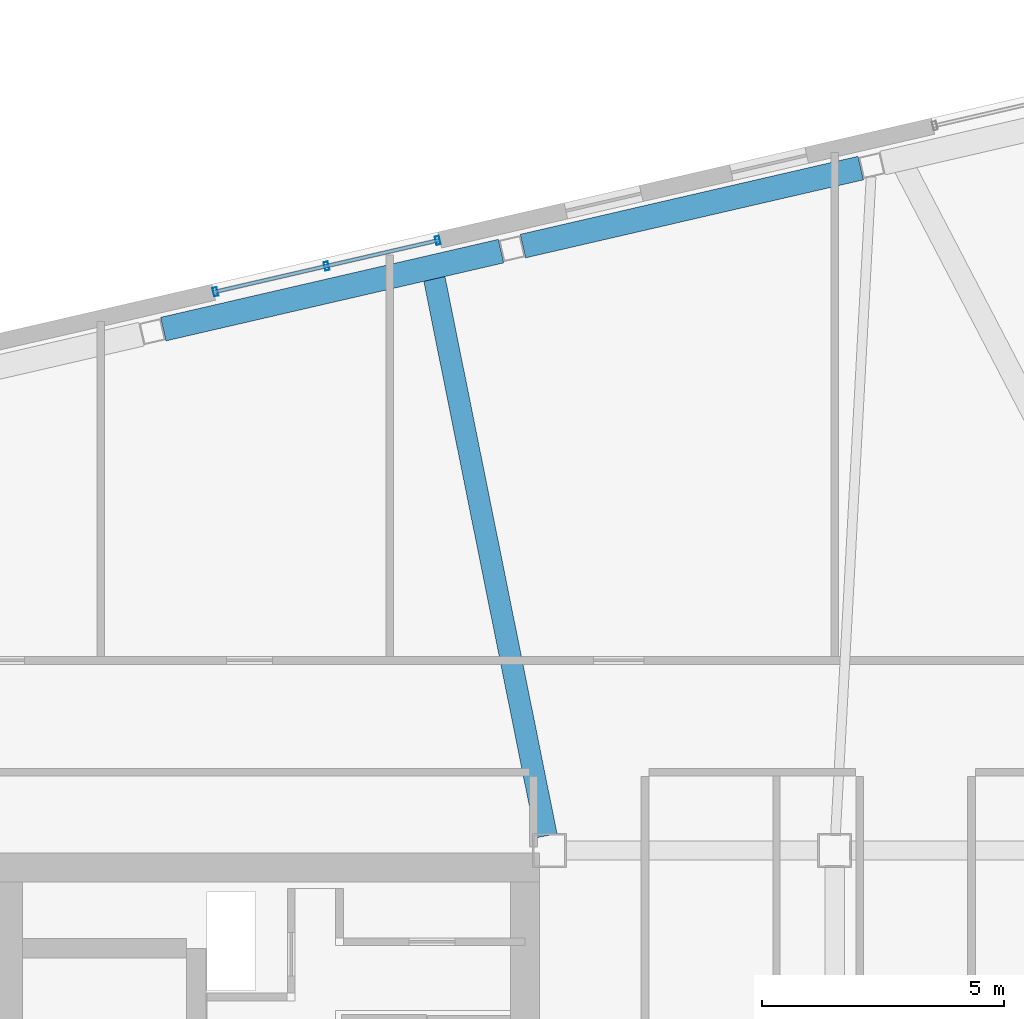
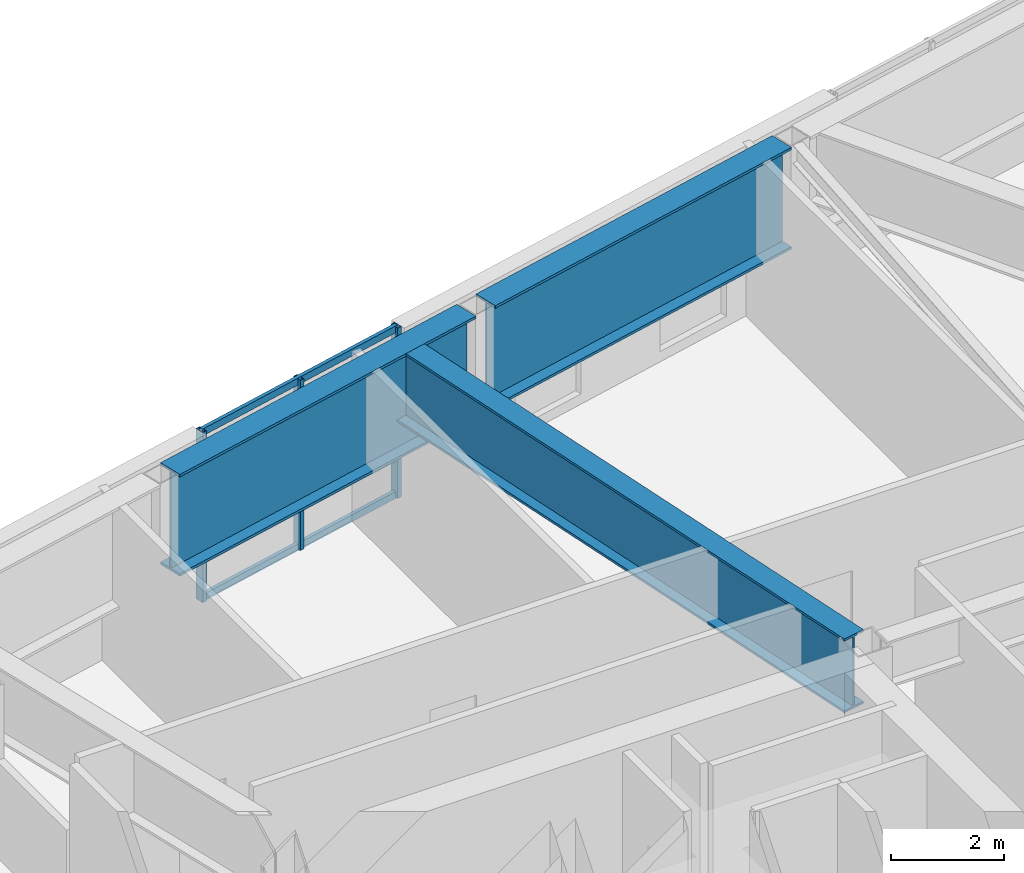
# One storey, part 12 of 23: 6 members, 3 beams, 1 element without a shape of its own.
"""IFC4 building model written with IfcOpenShell, lengths in metres."""

from ifc_helpers import new_model, si_unit, direction, frame, origin, origin_2d, place, context, subcontext, project, spatial, hollow_rectangle, i_section, extrude, material, layer, layer_set, material_profile, profile_set, type_object, element, aggregate, save


model = new_model("IFC4")

# Units and contexts
model_context = context("Model", 3, precision=1e-05, world=origin(), true_north=direction((0.0, 1.0)))
body_context = subcontext(model_context, "Body", "Model", "MODEL_VIEW")
ifc_project = project(units=[si_unit("LENGTHUNIT", "METRE"), si_unit("AREAUNIT", "SQUARE_METRE"), si_unit("VOLUMEUNIT", "CUBIC_METRE"), si_unit("PLANEANGLEUNIT", "RADIAN"), si_unit("MASSUNIT", "GRAM", prefix="KILO")], contexts=[model_context])

# Site, building, storey
site_placement = place(None, origin())
site = spatial("IfcSite", under=ifc_project, at=site_placement, CompositionType="ELEMENT")
building_placement = place(site_placement, origin())
building = spatial("IfcBuilding", under=site, at=building_placement, Name="Tavrogorsk Clinical Tower", CompositionType="ELEMENT")
storey_placement = place(building_placement, frame((0.0, 0.0, 329.0)))
storey = spatial("IfcBuildingStorey", under=building, at=storey_placement, Name="L77", CompositionType="ELEMENT", Elevation=329.0)

# Curtain wall, members
ifc_material_1 = material(Name="Anodised aluminium and triple IGU glazing", Category="aluminium")
ifc_layer = layer(ifc_material_1, 0.179931640625)
ifc_layer_set = layer_set([ifc_layer], Name="Anodised aluminium and triple IGU glazing")
curtain_wall_type = type_object("IfcCurtainWallType", Name="CW2_NorthSlot", PredefinedType="NOTDEFINED", material=ifc_layer_set)
curtain_wall_placement = place(storey_placement, origin())
curtain_wall = element("IfcCurtainWall", 1, at=curtain_wall_placement, inside=storey, type_object=curtain_wall_type, Name="L77 Curtain Wall CW-L77-N-SLOT-1", PredefinedType="NOTDEFINED")
ifc_material_2 = material(Name="Anodised aluminium alloy AW-6060", Category="aluminium")
ifc_material_profile_1 = material_profile(ifc_material_2, hollow_rectangle(XDim=0.090087890625, YDim=0.179931640625, WallThickness=0.00634765625, at=origin_2d()), Name="RHS-180x90x6.3")
ifc_profile_set_1 = profile_set([ifc_material_profile_1], Name="Anodised aluminium alloy AW-6060")
member_type_1 = type_object("IfcMemberType", Name="CwMullion_180x90", PredefinedType="MULLION", material=ifc_profile_set_1)
member_1_placement = place(storey_placement, frame((-12.608154296875, 18.9658203125, 0.0), z_axis=(0.0, 0.0, 1.0), x_axis=(-0.974370057377, -0.224951086434, 0.0)))
member_1 = element("IfcMember", 2, at=member_1_placement, type_object=member_type_1, Name="CW-L77-N-SLOT-1 Mullion 1", PredefinedType="MULLION", context=body_context, shape_type="SweptSolid", body=[
    extrude(hollow_rectangle(XDim=0.090087890625, YDim=0.179931640625, WallThickness=0.00634765625, at=origin_2d()), origin(), (0.0, 0.0, 1.0), 3.679931640625),
])
member_2_placement = place(storey_placement, frame((-14.90673828125, 18.435302734375, 0.0), z_axis=(0.0, 0.0, 1.0), x_axis=(-0.974370057377, -0.224951086434, 0.0)))
member_2 = element("IfcMember", 3, at=member_2_placement, type_object=member_type_1, Name="CW-L77-N-SLOT-1 Mullion 2", PredefinedType="MULLION", context=body_context, shape_type="SweptSolid", body=[
    extrude(hollow_rectangle(XDim=0.090087890625, YDim=0.179931640625, WallThickness=0.00634765625, at=origin_2d()), origin(), (0.0, 0.0, 1.0), 3.679931640625),
])
member_3_placement = place(storey_placement, frame((-17.205322265625, 17.904541015625, 0.0), z_axis=(0.0, 0.0, 1.0), x_axis=(-0.974370057377, -0.224951086434, 0.0)))
member_3 = element("IfcMember", 4, at=member_3_placement, type_object=member_type_1, Name="CW-L77-N-SLOT-1 Mullion 3", PredefinedType="MULLION", context=body_context, shape_type="SweptSolid", body=[
    extrude(hollow_rectangle(XDim=0.090087890625, YDim=0.179931640625, WallThickness=0.00634765625, at=origin_2d()), origin(), (0.0, 0.0, 1.0), 3.679931640625),
])
ifc_material_3 = material(Name="Anodised aluminium alloy AW-6060", Category="aluminium")
ifc_material_profile_2 = material_profile(ifc_material_3, hollow_rectangle(XDim=0.074951171875, YDim=0.14990234375, WallThickness=0.0048828125, at=origin_2d()), Name="RHS-150x75x5")
ifc_profile_set_2 = profile_set([ifc_material_profile_2], Name="Anodised aluminium alloy AW-6060")
member_type_2 = type_object("IfcMemberType", Name="CwTransom_150x75", PredefinedType="USERDEFINED", material=ifc_profile_set_2)
member_4_placement = place(storey_placement, frame((-12.608154296875, 18.9658203125, 0.050048828125), z_axis=(-0.974372877948, -0.22493886885, 0.0), x_axis=(0.22493886885, -0.974372877948, 0.0)))
member_4 = element("IfcMember", 5, at=member_4_placement, type_object=member_type_2, Name="CW-L77-N-SLOT-1 Transom 1", ObjectType="TRANSOM", PredefinedType="USERDEFINED", context=body_context, shape_type="SweptSolid", body=[
    extrude(hollow_rectangle(XDim=0.074951171875, YDim=0.14990234375, WallThickness=0.0048828125, at=origin_2d()), origin(), (0.0, 0.0, 1.0), 4.718017578125),
])
member_5_placement = place(storey_placement, frame((-12.608154296875, 18.9658203125, 0.85009765625), z_axis=(-0.974372877948, -0.22493886885, 0.0), x_axis=(0.22493886885, -0.974372877948, 0.0)))
member_5 = element("IfcMember", 6, at=member_5_placement, type_object=member_type_2, Name="CW-L77-N-SLOT-1 Transom 2", ObjectType="TRANSOM", PredefinedType="USERDEFINED", context=body_context, shape_type="SweptSolid", body=[
    extrude(hollow_rectangle(XDim=0.074951171875, YDim=0.14990234375, WallThickness=0.0048828125, at=origin_2d()), origin(), (0.0, 0.0, 1.0), 4.718017578125),
])
member_6_placement = place(storey_placement, frame((-12.608154296875, 18.9658203125, 3.6298828125), z_axis=(-0.974372877948, -0.22493886885, 0.0), x_axis=(0.22493886885, -0.974372877948, 0.0)))
member_6 = element("IfcMember", 7, at=member_6_placement, type_object=member_type_2, Name="CW-L77-N-SLOT-1 Transom 3", ObjectType="TRANSOM", PredefinedType="USERDEFINED", context=body_context, shape_type="SweptSolid", body=[
    extrude(hollow_rectangle(XDim=0.074951171875, YDim=0.14990234375, WallThickness=0.0048828125, at=origin_2d()), origin(), (0.0, 0.0, 1.0), 4.718017578125),
])
aggregate(curtain_wall, [member_1, member_2, member_3, member_4, member_5, member_6])

# Beams
ifc_material_4 = material(Name="Structural steel S440", Category="steel")
ifc_material_profile_3 = material_profile(ifc_material_4, i_section(OverallWidth=0.449951171875, OverallDepth=1.60009765625, WebThickness=0.031982421875, FlangeThickness=0.050048828125, at=origin_2d()), Name="DK-1600x450x32x50")
ifc_profile_set_3 = profile_set([ifc_material_profile_3], Name="Structural steel S440")
beam_type_1 = type_object("IfcBeamType", Name="TransferGirder_DK1600", PredefinedType="USERDEFINED", material=ifc_profile_set_3)
beam_placement = place(storey_placement, frame((-10.361083984375, 6.65380859375, 2.8798828125), z_axis=(-0.19723527483, 0.980356183416, 0.0), x_axis=(-0.980356183416, -0.19723527483, 0.0)))
element("IfcBeam", 8, at=beam_placement, inside=storey, type_object=beam_type_1, Name="L78 Crown Base Transfer Girder 08", ObjectType="GIRDER", PredefinedType="USERDEFINED", context=body_context, shape_type="SweptSolid", body=[
    extrude(i_section(OverallWidth=0.449951171875, OverallDepth=1.60009765625, WebThickness=0.031982421875, FlangeThickness=0.050048828125, at=origin_2d()), origin(), (0.0, 0.0, 1.0), 11.996826171875),
])
ifc_material_5 = material(Name="Structural steel S440", Category="steel")
ifc_material_profile_4 = material_profile(ifc_material_5, i_section(OverallWidth=0.5, OverallDepth=2.199951171875, WebThickness=0.035888671875, FlangeThickness=0.054931640625, at=origin_2d()), Name="DK-2200x500x36x55")
ifc_profile_set_4 = profile_set([ifc_material_profile_4], Name="Structural steel S440")
beam_type_2 = type_object("IfcBeamType", Name="TransferGirder_DK2200", PredefinedType="USERDEFINED", material=ifc_profile_set_4)
for number, where, z_axis, x_axis, name in (
    (9, (-3.861328125, 20.4619140625, 2.580078125), (-0.974367655018, -0.224961491939, 0.0), (0.224961491939, -0.974367655018, 0.0), "L77 Perimeter Spandrel N4-N5"),
    (10, (-11.2998046875, 18.74462890625, 2.580078125), (-0.974367655018, -0.224961491939, 0.0), (0.224961491939, -0.974367655018, 0.0), "L77 Perimeter Spandrel N5-N6"),
):
    element("IfcBeam", number, at=place(storey_placement, frame(where, z_axis=z_axis, x_axis=x_axis)), inside=storey, type_object=beam_type_2, Name=name, ObjectType="GIRDER", PredefinedType="USERDEFINED", context=body_context, shape_type="SweptSolid", body=[
        extrude(i_section(OverallWidth=0.5, OverallDepth=2.199951171875, WebThickness=0.035888671875, FlangeThickness=0.054931640625, at=origin_2d()), origin(), (0.0, 0.0, 1.0), 7.168212890625),
    ])

save(model, "model.ifc")
